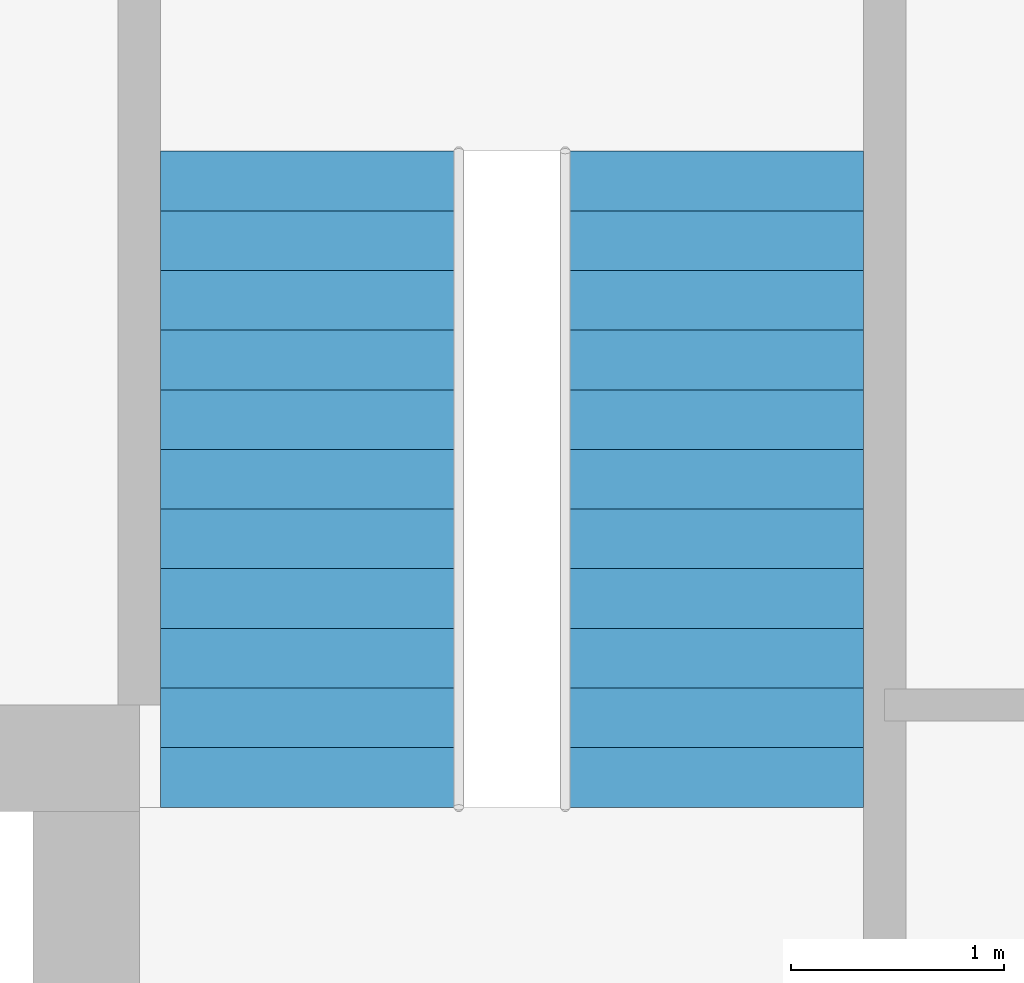
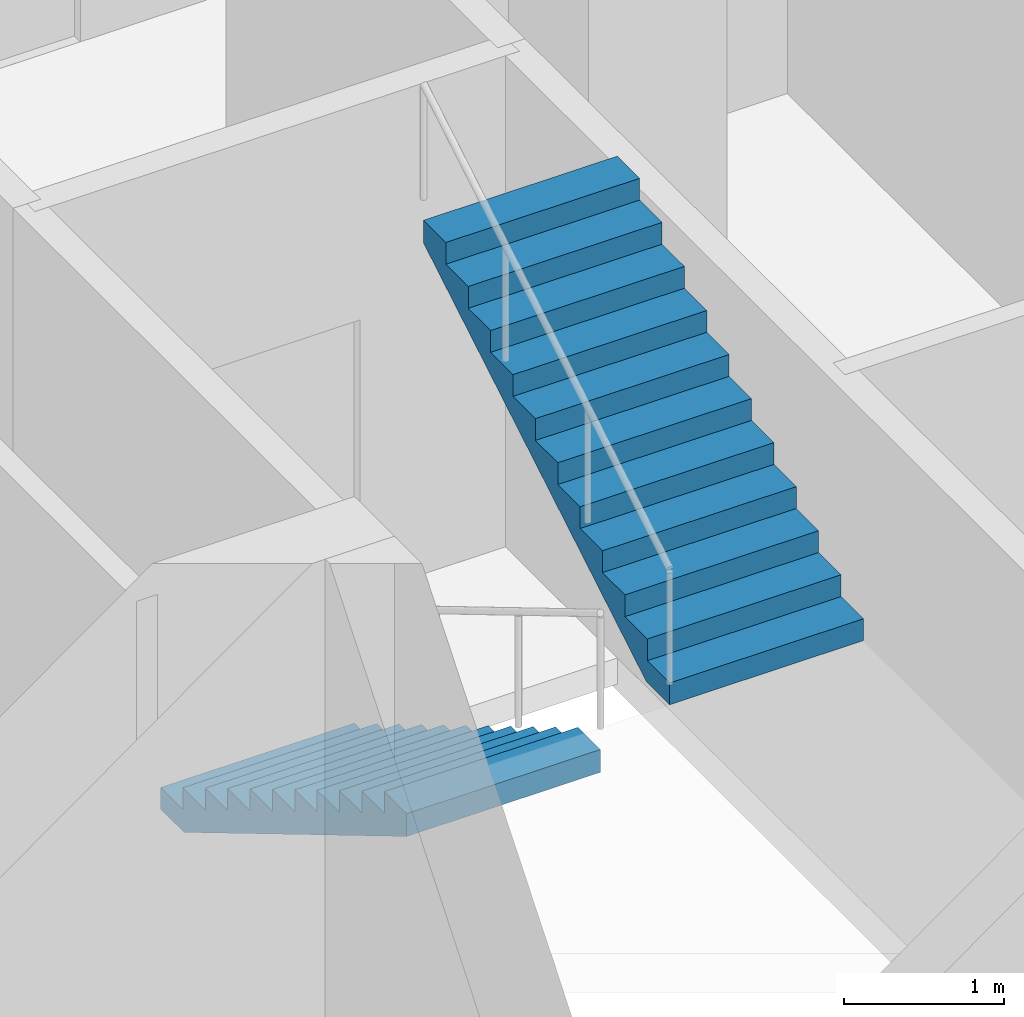
# One storey, part 12 of 13: 2 stair flights, 1 element without a shape of its own.
"""IFC4 building model written with IfcOpenShell, lengths in metres."""

from ifc_helpers import new_model, si_unit, direction, frame, origin, place, context, subcontext, project, spatial, polyline, outline, extrude, material, type_object, element, aggregate, save


model = new_model("IFC4")

# Units and contexts
model_context = context("Model", 3, precision=1e-05, world=origin(), true_north=direction((0.0, 1.0)))
body_context = subcontext(model_context, "Body", "Model", "MODEL_VIEW")
ifc_project = project(units=[si_unit("LENGTHUNIT", "METRE"), si_unit("AREAUNIT", "SQUARE_METRE"), si_unit("VOLUMEUNIT", "CUBIC_METRE"), si_unit("PLANEANGLEUNIT", "RADIAN"), si_unit("MASSUNIT", "GRAM", prefix="KILO")], contexts=[model_context])

# Site, building, storey
site_placement = place(None, origin())
site = spatial("IfcSite", under=ifc_project, at=site_placement, CompositionType="ELEMENT")
building_placement = place(site_placement, origin())
building = spatial("IfcBuilding", under=site, at=building_placement, Name="Malebo Sky Hospital", CompositionType="ELEMENT")
storey_placement = place(building_placement, frame((0.0, 0.0, 67.0)))
storey = spatial("IfcBuildingStorey", under=building, at=storey_placement, Name="L15", CompositionType="ELEMENT", Elevation=67.0)

# Stair, stair flights
ifc_material = material(Name="Concrete C40/50", Category="concrete")
stair_type = type_object("IfcStairType", Name="HALF-TURN STAIR 1400 R167", PredefinedType="HALF_TURN_STAIR", material=ifc_material)
stair_placement = place(storey_placement, origin())
stair = element("IfcStair", 1, at=stair_placement, inside=storey, type_object=stair_type, Name="Stair S3 L15 type ST1B", PredefinedType="HALF_TURN_STAIR")
stair_flight_type = type_object("IfcStairFlightType", Name="STAIR FLIGHT 1400 R167", PredefinedType="STRAIGHT", material=ifc_material)
stair_flight_1_placement = place(storey_placement, frame((69.800048828125, 73.60009765625, 0.0), z_axis=(0.0, 0.0, 1.0), x_axis=(0.0, -1.0, 0.0)))
stair_flight_1 = element("IfcStairFlight", 2, at=stair_flight_1_placement, type_object=stair_flight_type, Name="S3 flight 1 type SF1B", NumberOfRisers=12, NumberOfTreads=11, PredefinedType="STRAIGHT", RiserHeight=0.166666667, TreadLength=0.28, context=body_context, shape_type="SweptSolid", body=[
    extrude(outline(polyline([(0.0, 0.0), (0.0, 0.166748046875), (0.280029296875, 0.166748046875), (0.280029296875, 0.333251953125), (0.56005859375, 0.333251953125), (0.56005859375, 0.5), (0.840087890625, 0.5), (0.840087890625, 0.666748046875), (1.1201171875, 0.666748046875), (1.1201171875, 0.833251953125), (1.39990234375, 0.833251953125), (1.39990234375, 1.0), (1.679931640625, 1.0), (1.679931640625, 1.166748046875), (1.9599609375, 1.166748046875), (1.9599609375, 1.333251953125), (2.239990234375, 1.333251953125), (2.239990234375, 1.5), (2.52001953125, 1.5), (2.52001953125, 1.666748046875), (2.800048828125, 1.666748046875), (2.800048828125, 1.833251953125), (3.080078125, 1.833251953125), (3.080078125, 2.0), (3.080078125, 1.658935546875), (0.29296875, 0.0), (0.0, 0.0)])), frame((0.0, 0.699951171875, 0.0), z_axis=(0.0, -1.0, 0.0), x_axis=(1.0, 0.0, 0.0)), (0.0, 0.0, 1.0), 1.39990234375),
])
stair_flight_2_placement = place(storey_placement, frame((71.699951171875, 70.52001953125, 2.0), z_axis=(0.0, 0.0, 1.0), x_axis=(0.0, 1.0, 0.0)))
stair_flight_2 = element("IfcStairFlight", 3, at=stair_flight_2_placement, type_object=stair_flight_type, Name="S3 flight 2 type SF1B", NumberOfRisers=12, NumberOfTreads=11, PredefinedType="STRAIGHT", RiserHeight=0.166666667, TreadLength=0.28, context=body_context, shape_type="SweptSolid", body=[
    extrude(outline(polyline([(0.0, 0.0), (0.0, 0.166748046875), (0.280029296875, 0.166748046875), (0.280029296875, 0.333251953125), (0.56005859375, 0.333251953125), (0.56005859375, 0.5), (0.840087890625, 0.5), (0.840087890625, 0.666748046875), (1.1201171875, 0.666748046875), (1.1201171875, 0.833251953125), (1.39990234375, 0.833251953125), (1.39990234375, 1.0), (1.679931640625, 1.0), (1.679931640625, 1.166748046875), (1.9599609375, 1.166748046875), (1.9599609375, 1.333251953125), (2.239990234375, 1.333251953125), (2.239990234375, 1.5), (2.52001953125, 1.5), (2.52001953125, 1.666748046875), (2.800048828125, 1.666748046875), (2.800048828125, 1.833251953125), (3.080078125, 1.833251953125), (3.080078125, 2.0), (3.080078125, 1.658935546875), (0.29296875, 0.0), (0.0, 0.0)])), frame((0.0, 0.699951171875, 0.0), z_axis=(0.0, -1.0, 0.0), x_axis=(1.0, 0.0, 0.0)), (0.0, 0.0, 1.0), 1.39990234375),
])
aggregate(stair, [stair_flight_1, stair_flight_2])

save(model, "model.ifc")
